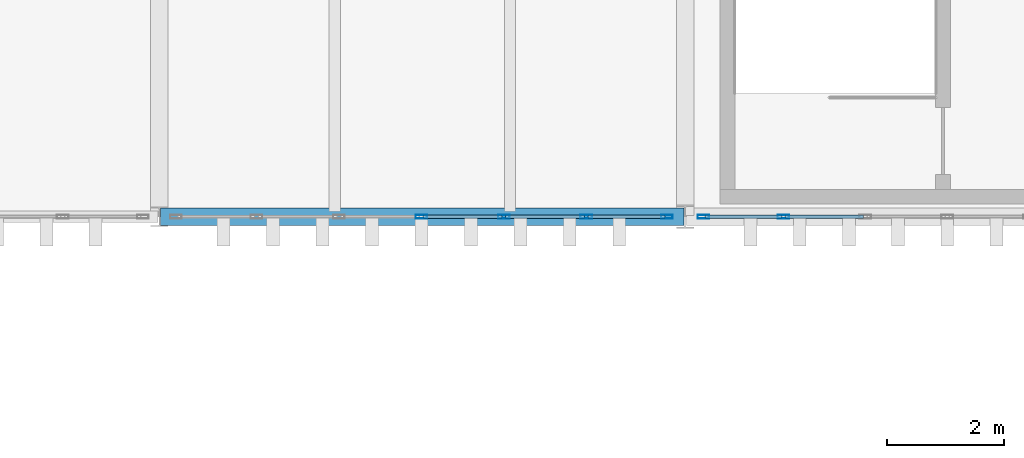
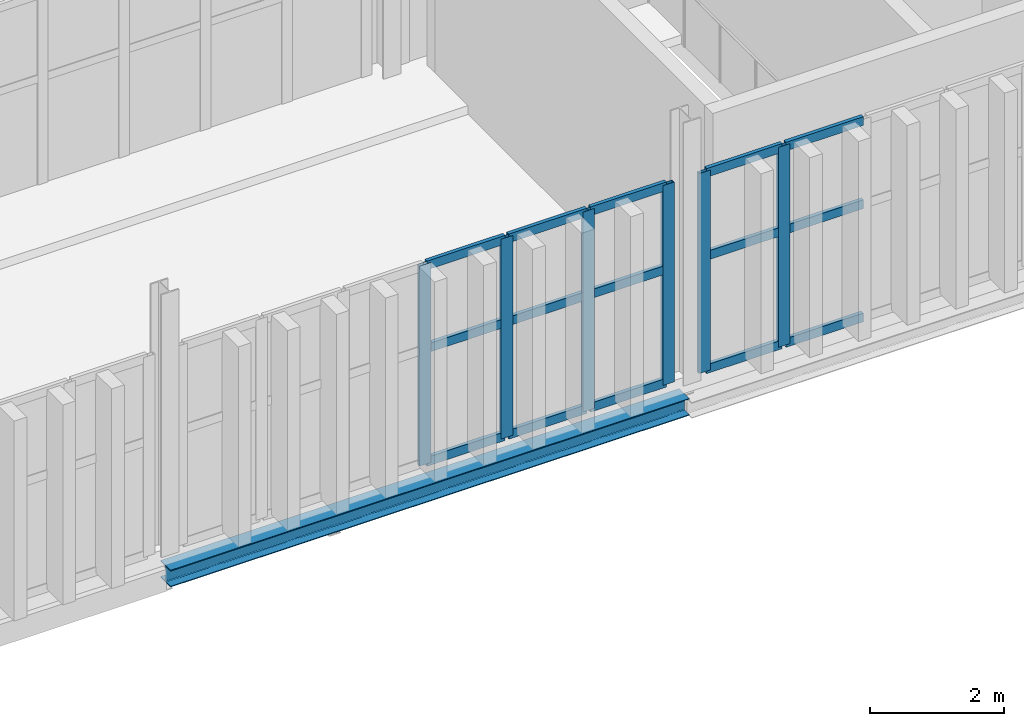
# One storey, part 39 of 196: 21 members, 1 beam, 2 elements without a shape of their own.
"""IFC4 building model written with IfcOpenShell, lengths in metres."""

from ifc_helpers import new_model, si_unit, direction, frame, origin, origin_2d, place, context, subcontext, project, spatial, hollow_rectangle, i_section, extrude, material, layer, layer_set, material_profile, profile_set, type_object, element, aggregate, save


model = new_model("IFC4")

# Units and contexts
model_context = context("Model", 3, precision=1e-05, world=origin(), true_north=direction((0.0, 1.0)))
body_context = subcontext(model_context, "Body", "Model", "MODEL_VIEW")
ifc_project = project(units=[si_unit("LENGTHUNIT", "METRE"), si_unit("AREAUNIT", "SQUARE_METRE"), si_unit("VOLUMEUNIT", "CUBIC_METRE"), si_unit("PLANEANGLEUNIT", "RADIAN"), si_unit("MASSUNIT", "GRAM", prefix="KILO")], contexts=[model_context])

# Site, building, storey
site_placement = place(None, origin())
site = spatial("IfcSite", under=ifc_project, at=site_placement, CompositionType="ELEMENT")
building_placement = place(site_placement, origin())
building = spatial("IfcBuilding", under=site, at=building_placement, Name="Barlavento Convention Centre", CompositionType="ELEMENT")
storey_placement = place(building_placement, frame((0.0, 0.0, 18.0)))
storey = spatial("IfcBuildingStorey", under=building, at=storey_placement, Name="L03", CompositionType="ELEMENT", Elevation=18.0)

# Curtain wall, members
ifc_material_1 = material(Name="Powder-coated aluminium and Low-E glass", Category="aluminium")
ifc_layer = layer(ifc_material_1, 0.179931640625)
ifc_layer_set = layer_set([ifc_layer], Name="ARC-CW-CONF-L03")
curtain_wall_type = type_object("IfcCurtainWallType", Name="ARC-CW-CONF-L03", PredefinedType="NOTDEFINED", material=ifc_layer_set)
curtain_wall_1_placement = place(storey_placement, origin())
curtain_wall_1 = element("IfcCurtainWall", 1, at=curtain_wall_1_placement, inside=storey, type_object=curtain_wall_type, Name="L03 unitised curtain wall CW08", PredefinedType="NOTDEFINED")
ifc_material_2 = material(Name="Powder-coated aluminium", Category="aluminium")
ifc_material_profile_1 = material_profile(ifc_material_2, hollow_rectangle(XDim=0.06494140625, YDim=0.199951171875, WallThickness=0.0048828125, at=origin_2d()), Name="AL-MULL 65x200x5")
ifc_profile_set_1 = profile_set([ifc_material_profile_1], Name="Powder-coated aluminium")
member_type_1 = type_object("IfcMemberType", Name="ARC-CWM-65X200", PredefinedType="MULLION", material=ifc_profile_set_1)
member_1_placement = place(storey_placement, frame((112.485107421875, 45.0, 0.0), z_axis=(0.0, 0.0, 1.0), x_axis=(0.0, 1.0, 0.0)))
member_1 = element("IfcMember", 2, at=member_1_placement, type_object=member_type_1, Name="CW08 mullion 4", PredefinedType="MULLION", context=body_context, shape_type="SweptSolid", body=[
    extrude(hollow_rectangle(XDim=0.06494140625, YDim=0.199951171875, WallThickness=0.0048828125, at=origin_2d()), origin(), (0.0, 0.0, 1.0), 3.64990234375),
])
member_2_placement = place(storey_placement, frame((113.896728515625, 45.0, 0.0), z_axis=(0.0, 0.0, 1.0), x_axis=(0.0, 1.0, 0.0)))
member_2 = element("IfcMember", 3, at=member_2_placement, type_object=member_type_1, Name="CW08 mullion 5", PredefinedType="MULLION", context=body_context, shape_type="SweptSolid", body=[
    extrude(hollow_rectangle(XDim=0.06494140625, YDim=0.199951171875, WallThickness=0.0048828125, at=origin_2d()), origin(), (0.0, 0.0, 1.0), 3.64990234375),
])
member_3_placement = place(storey_placement, frame((115.308349609375, 45.0, 0.0), z_axis=(0.0, 0.0, 1.0), x_axis=(0.0, 1.0, 0.0)))
member_3 = element("IfcMember", 4, at=member_3_placement, type_object=member_type_1, Name="CW08 mullion 6", PredefinedType="MULLION", context=body_context, shape_type="SweptSolid", body=[
    extrude(hollow_rectangle(XDim=0.06494140625, YDim=0.199951171875, WallThickness=0.0048828125, at=origin_2d()), origin(), (0.0, 0.0, 1.0), 3.64990234375),
])
member_4_placement = place(storey_placement, frame((116.6875, 45.0, 0.0), z_axis=(0.0, 0.0, 1.0), x_axis=(0.0, 1.0, 0.0)))
member_4 = element("IfcMember", 5, at=member_4_placement, type_object=member_type_1, Name="CW08 mullion 7", PredefinedType="MULLION", context=body_context, shape_type="SweptSolid", body=[
    extrude(hollow_rectangle(XDim=0.06494140625, YDim=0.199951171875, WallThickness=0.0048828125, at=origin_2d()), origin(), (0.0, 0.0, 1.0), 3.64990234375),
])

curtain_wall_2_placement = place(storey_placement, origin())
curtain_wall_2 = element("IfcCurtainWall", 6, at=curtain_wall_2_placement, inside=storey, type_object=curtain_wall_type, Name="L03 unitised curtain wall CW08", PredefinedType="NOTDEFINED")
member_5_placement = place(storey_placement, frame((117.3125, 45.0, 0.0), z_axis=(0.0, 0.0, 1.0), x_axis=(0.0, 1.0, 0.0)))
member_5 = element("IfcMember", 7, at=member_5_placement, type_object=member_type_1, Name="CW08 mullion 1", PredefinedType="MULLION", context=body_context, shape_type="SweptSolid", body=[
    extrude(hollow_rectangle(XDim=0.06494140625, YDim=0.199951171875, WallThickness=0.0048828125, at=origin_2d()), origin(), (0.0, 0.0, 1.0), 3.64990234375),
])
member_6_placement = place(storey_placement, frame((118.6826171875, 45.0, 0.0), z_axis=(0.0, 0.0, 1.0), x_axis=(0.0, 1.0, 0.0)))
member_6 = element("IfcMember", 8, at=member_6_placement, type_object=member_type_1, Name="CW08 mullion 2", PredefinedType="MULLION", context=body_context, shape_type="SweptSolid", body=[
    extrude(hollow_rectangle(XDim=0.06494140625, YDim=0.199951171875, WallThickness=0.0048828125, at=origin_2d()), origin(), (0.0, 0.0, 1.0), 3.64990234375),
])

# Member
ifc_material_profile_2 = material_profile(ifc_material_2, hollow_rectangle(XDim=0.06494140625, YDim=0.159912109375, WallThickness=0.0048828125, at=origin_2d()), Name="AL-TRAN 65x160x5")
ifc_profile_set_2 = profile_set([ifc_material_profile_2], Name="Powder-coated aluminium")
member_type_2 = type_object("IfcMemberType", Name="ARC-CWT-65X160", PredefinedType="USERDEFINED", material=ifc_profile_set_2)
member_7_placement = place(storey_placement, frame((112.517578125, 45.0, 0.032470703125), z_axis=(1.0, 0.0, 0.0), x_axis=(0.0, 1.0, 0.0)))
member_7 = element("IfcMember", 9, at=member_7_placement, type_object=member_type_2, Name="CW08 transom 4.1", ObjectType="TRANSOM", PredefinedType="USERDEFINED", context=body_context, shape_type="SweptSolid", body=[
    extrude(hollow_rectangle(XDim=0.06494140625, YDim=0.159912109375, WallThickness=0.0048828125, at=origin_2d()), origin(), (0.0, 0.0, 1.0), 1.3466796875),
])

member_8_placement = place(storey_placement, frame((112.517578125, 45.0, 2.10009765625), z_axis=(1.0, 0.0, 0.0), x_axis=(0.0, 1.0, 0.0)))
member_8 = element("IfcMember", 10, at=member_8_placement, type_object=member_type_2, Name="CW08 transom 4.2", ObjectType="TRANSOM", PredefinedType="USERDEFINED", context=body_context, shape_type="SweptSolid", body=[
    extrude(hollow_rectangle(XDim=0.06494140625, YDim=0.159912109375, WallThickness=0.0048828125, at=origin_2d()), origin(), (0.0, 0.0, 1.0), 1.3466796875),
])

member_9_placement = place(storey_placement, frame((112.517578125, 45.0, 3.617431640625), z_axis=(1.0, 0.0, 0.0), x_axis=(0.0, 1.0, 0.0)))
member_9 = element("IfcMember", 11, at=member_9_placement, type_object=member_type_2, Name="CW08 transom 4.3", ObjectType="TRANSOM", PredefinedType="USERDEFINED", context=body_context, shape_type="SweptSolid", body=[
    extrude(hollow_rectangle(XDim=0.06494140625, YDim=0.159912109375, WallThickness=0.0048828125, at=origin_2d()), origin(), (0.0, 0.0, 1.0), 1.3466796875),
])

member_10_placement = place(storey_placement, frame((113.92919921875, 45.0, 0.032470703125), z_axis=(1.0, 0.0, 0.0), x_axis=(0.0, 1.0, 0.0)))
member_10 = element("IfcMember", 12, at=member_10_placement, type_object=member_type_2, Name="CW08 transom 5.1", ObjectType="TRANSOM", PredefinedType="USERDEFINED", context=body_context, shape_type="SweptSolid", body=[
    extrude(hollow_rectangle(XDim=0.06494140625, YDim=0.159912109375, WallThickness=0.0048828125, at=origin_2d()), origin(), (0.0, 0.0, 1.0), 1.3466796875),
])

member_11_placement = place(storey_placement, frame((113.92919921875, 45.0, 2.10009765625), z_axis=(1.0, 0.0, 0.0), x_axis=(0.0, 1.0, 0.0)))
member_11 = element("IfcMember", 13, at=member_11_placement, type_object=member_type_2, Name="CW08 transom 5.2", ObjectType="TRANSOM", PredefinedType="USERDEFINED", context=body_context, shape_type="SweptSolid", body=[
    extrude(hollow_rectangle(XDim=0.06494140625, YDim=0.159912109375, WallThickness=0.0048828125, at=origin_2d()), origin(), (0.0, 0.0, 1.0), 1.3466796875),
])

member_12_placement = place(storey_placement, frame((113.92919921875, 45.0, 3.617431640625), z_axis=(1.0, 0.0, 0.0), x_axis=(0.0, 1.0, 0.0)))
member_12 = element("IfcMember", 14, at=member_12_placement, type_object=member_type_2, Name="CW08 transom 5.3", ObjectType="TRANSOM", PredefinedType="USERDEFINED", context=body_context, shape_type="SweptSolid", body=[
    extrude(hollow_rectangle(XDim=0.06494140625, YDim=0.159912109375, WallThickness=0.0048828125, at=origin_2d()), origin(), (0.0, 0.0, 1.0), 1.3466796875),
])

member_13_placement = place(storey_placement, frame((115.3408203125, 45.0, 0.032470703125), z_axis=(1.0, 0.0, 0.0), x_axis=(0.0, 1.0, 0.0)))
member_13 = element("IfcMember", 15, at=member_13_placement, type_object=member_type_2, Name="CW08 transom 6.1", ObjectType="TRANSOM", PredefinedType="USERDEFINED", context=body_context, shape_type="SweptSolid", body=[
    extrude(hollow_rectangle(XDim=0.06494140625, YDim=0.159912109375, WallThickness=0.0048828125, at=origin_2d()), origin(), (0.0, 0.0, 1.0), 1.314208984375),
])

member_14_placement = place(storey_placement, frame((115.3408203125, 45.0, 2.10009765625), z_axis=(1.0, 0.0, 0.0), x_axis=(0.0, 1.0, 0.0)))
member_14 = element("IfcMember", 16, at=member_14_placement, type_object=member_type_2, Name="CW08 transom 6.2", ObjectType="TRANSOM", PredefinedType="USERDEFINED", context=body_context, shape_type="SweptSolid", body=[
    extrude(hollow_rectangle(XDim=0.06494140625, YDim=0.159912109375, WallThickness=0.0048828125, at=origin_2d()), origin(), (0.0, 0.0, 1.0), 1.314208984375),
])

member_15_placement = place(storey_placement, frame((115.3408203125, 45.0, 3.617431640625), z_axis=(1.0, 0.0, 0.0), x_axis=(0.0, 1.0, 0.0)))
member_15 = element("IfcMember", 17, at=member_15_placement, type_object=member_type_2, Name="CW08 transom 6.3", ObjectType="TRANSOM", PredefinedType="USERDEFINED", context=body_context, shape_type="SweptSolid", body=[
    extrude(hollow_rectangle(XDim=0.06494140625, YDim=0.159912109375, WallThickness=0.0048828125, at=origin_2d()), origin(), (0.0, 0.0, 1.0), 1.314208984375),
])

aggregate(curtain_wall_1, [member_1, member_2, member_3, member_4, member_7, member_8, member_9, member_10, member_11, member_12, member_13, member_14, member_15])

member_16_placement = place(storey_placement, frame((117.344970703125, 45.0, 0.032470703125), z_axis=(1.0, 0.0, 0.0), x_axis=(0.0, 1.0, 0.0)))
member_16 = element("IfcMember", 18, at=member_16_placement, type_object=member_type_2, Name="CW08 transom 1.1", ObjectType="TRANSOM", PredefinedType="USERDEFINED", context=body_context, shape_type="SweptSolid", body=[
    extrude(hollow_rectangle(XDim=0.06494140625, YDim=0.159912109375, WallThickness=0.0048828125, at=origin_2d()), origin(), (0.0, 0.0, 1.0), 1.304931640625),
])

member_17_placement = place(storey_placement, frame((117.344970703125, 45.0, 2.10009765625), z_axis=(1.0, 0.0, 0.0), x_axis=(0.0, 1.0, 0.0)))
member_17 = element("IfcMember", 19, at=member_17_placement, type_object=member_type_2, Name="CW08 transom 1.2", ObjectType="TRANSOM", PredefinedType="USERDEFINED", context=body_context, shape_type="SweptSolid", body=[
    extrude(hollow_rectangle(XDim=0.06494140625, YDim=0.159912109375, WallThickness=0.0048828125, at=origin_2d()), origin(), (0.0, 0.0, 1.0), 1.304931640625),
])

member_18_placement = place(storey_placement, frame((117.344970703125, 45.0, 3.617431640625), z_axis=(1.0, 0.0, 0.0), x_axis=(0.0, 1.0, 0.0)))
member_18 = element("IfcMember", 20, at=member_18_placement, type_object=member_type_2, Name="CW08 transom 1.3", ObjectType="TRANSOM", PredefinedType="USERDEFINED", context=body_context, shape_type="SweptSolid", body=[
    extrude(hollow_rectangle(XDim=0.06494140625, YDim=0.159912109375, WallThickness=0.0048828125, at=origin_2d()), origin(), (0.0, 0.0, 1.0), 1.304931640625),
])

member_19_placement = place(storey_placement, frame((118.715087890625, 45.0, 0.032470703125), z_axis=(1.0, 0.0, 0.0), x_axis=(0.0, 1.0, 0.0)))
member_19 = element("IfcMember", 21, at=member_19_placement, type_object=member_type_2, Name="CW08 transom 2.1", ObjectType="TRANSOM", PredefinedType="USERDEFINED", context=body_context, shape_type="SweptSolid", body=[
    extrude(hollow_rectangle(XDim=0.06494140625, YDim=0.159912109375, WallThickness=0.0048828125, at=origin_2d()), origin(), (0.0, 0.0, 1.0), 1.33740234375),
])

member_20_placement = place(storey_placement, frame((118.715087890625, 45.0, 2.10009765625), z_axis=(1.0, 0.0, 0.0), x_axis=(0.0, 1.0, 0.0)))
member_20 = element("IfcMember", 22, at=member_20_placement, type_object=member_type_2, Name="CW08 transom 2.2", ObjectType="TRANSOM", PredefinedType="USERDEFINED", context=body_context, shape_type="SweptSolid", body=[
    extrude(hollow_rectangle(XDim=0.06494140625, YDim=0.159912109375, WallThickness=0.0048828125, at=origin_2d()), origin(), (0.0, 0.0, 1.0), 1.33740234375),
])

member_21_placement = place(storey_placement, frame((118.715087890625, 45.0, 3.617431640625), z_axis=(1.0, 0.0, 0.0), x_axis=(0.0, 1.0, 0.0)))
member_21 = element("IfcMember", 23, at=member_21_placement, type_object=member_type_2, Name="CW08 transom 2.3", ObjectType="TRANSOM", PredefinedType="USERDEFINED", context=body_context, shape_type="SweptSolid", body=[
    extrude(hollow_rectangle(XDim=0.06494140625, YDim=0.159912109375, WallThickness=0.0048828125, at=origin_2d()), origin(), (0.0, 0.0, 1.0), 1.33740234375),
])

aggregate(curtain_wall_2, [member_5, member_6, member_16, member_17, member_18, member_19, member_20, member_21])

# Beam
ifc_material_3 = material(Name="Steel S355", Category="steel")
ifc_material_profile_3 = material_profile(ifc_material_3, i_section(OverallWidth=0.300048828125, OverallDepth=0.31005859375, WebThickness=0.009033203125, FlangeThickness=0.015380859375, FilletRadius=0.027099609375, at=origin_2d()), Name="HEA 320")
ifc_profile_set_3 = profile_set([ifc_material_profile_3], Name="Steel S355")
beam_type = type_object("IfcBeamType", Name="STR-BM-SPN-HEA320", PredefinedType="SPANDREL", material=ifc_profile_set_3)
beam_placement = place(storey_placement, frame((108.02001953125, 45.0, -0.455078125), z_axis=(1.0, 0.0, 0.0), x_axis=(0.0, 1.0, 0.0)))
element("IfcBeam", 24, at=beam_placement, inside=storey, type_object=beam_type, Name="L03 primary girder SP01", PredefinedType="SPANDREL", context=body_context, shape_type="SweptSolid", body=[
    extrude(i_section(OverallWidth=0.300048828125, OverallDepth=0.31005859375, WebThickness=0.009033203125, FlangeThickness=0.015380859375, FilletRadius=0.027099609375, at=origin_2d()), origin(), (0.0, 0.0, 1.0), 8.9599609375),
])

save(model, "model.ifc")
